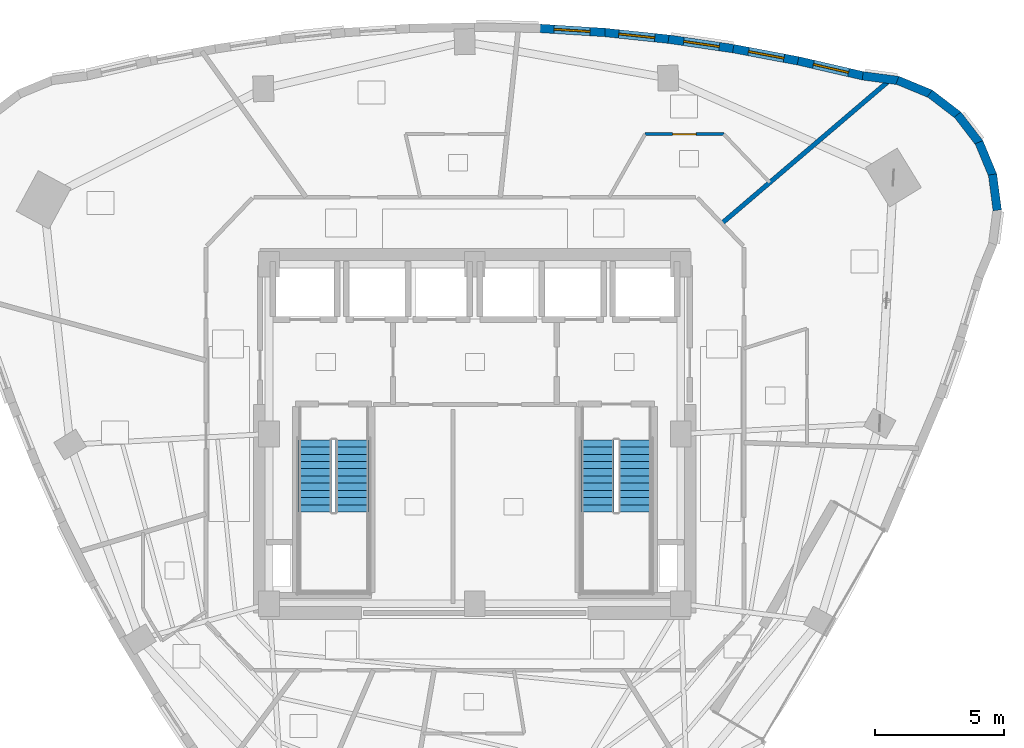
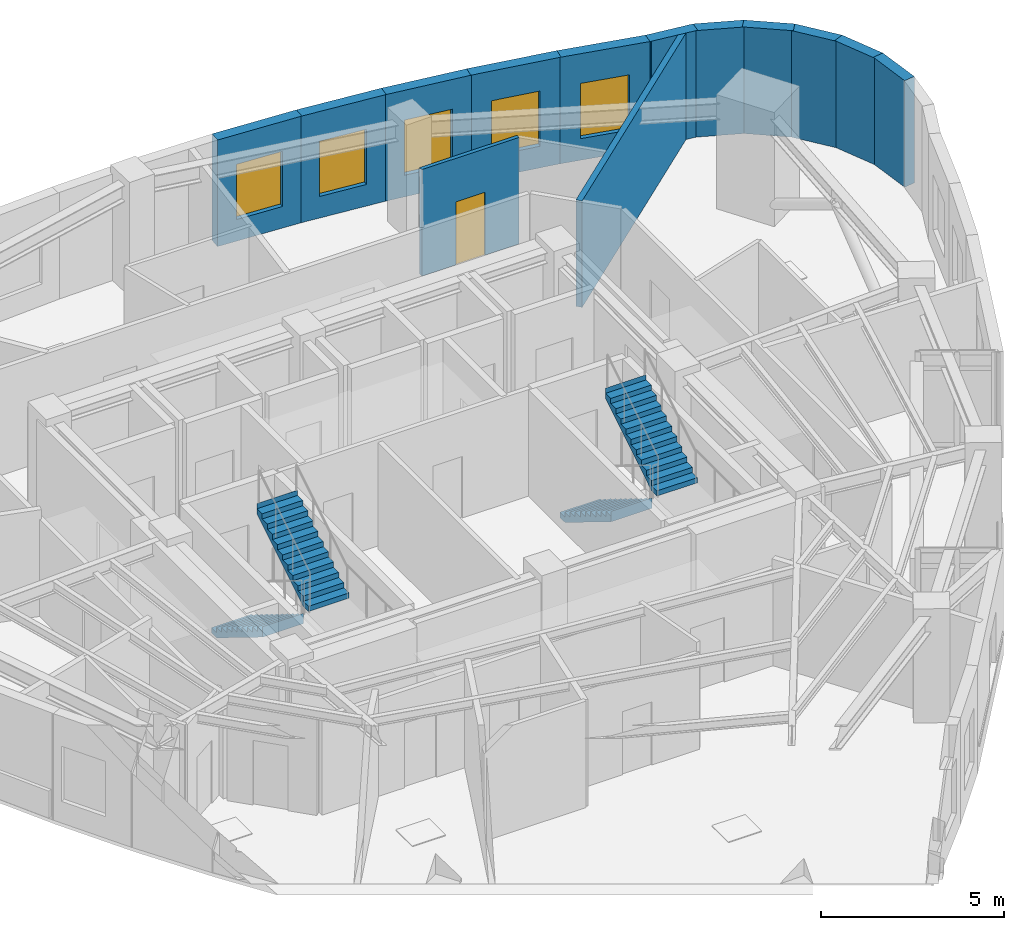
# One storey, part 9 of 12: 13 walls, 5 windows, 4 stair flights, 1 door, 6 openings, 2 elements without a shape of their own.
"""IFC4 building model written with IfcOpenShell, lengths in metres."""

from ifc_helpers import new_model, si_unit, direction, frame, frame_2d, origin, place, context, subcontext, project, spatial, polyline, rectangle, outline, extrude, material, layer, layer_set, type_object, element, fill, aggregate, save


model = new_model("IFC4")

# Units and contexts
model_context = context("Model", 3, precision=1e-05, world=origin(), true_north=direction((0.0, 1.0)))
body_context = subcontext(model_context, "Body", "Model", "MODEL_VIEW")
ifc_project = project(units=[si_unit("LENGTHUNIT", "METRE"), si_unit("AREAUNIT", "SQUARE_METRE"), si_unit("VOLUMEUNIT", "CUBIC_METRE"), si_unit("PLANEANGLEUNIT", "RADIAN"), si_unit("MASSUNIT", "GRAM", prefix="KILO")], contexts=[model_context])

# Site, building, storey
site_placement = place(None, origin())
site = spatial("IfcSite", under=ifc_project, at=site_placement, CompositionType="ELEMENT")
building_placement = place(site_placement, origin())
building = spatial("IfcBuilding", under=site, at=building_placement, Name="Ndelora Gate Hotel", CompositionType="ELEMENT")
storey_placement = place(building_placement, frame((0.0, 0.0, 213.14990234375)))
storey = spatial("IfcBuildingStorey", under=building, at=storey_placement, Name="L53", CompositionType="ELEMENT", Elevation=213.14990234375)

# Walls
ifc_material_1 = material(Name="Acoustic Double-Stud Gypsum Assembly", Category="gypsum")
ifc_layer_1 = layer(ifc_material_1, 0.179931640625)
ifc_layer_set_1 = layer_set([ifc_layer_1], Name="Acoustic Double-Stud Gypsum Assembly")
wall_type_1 = type_object("IfcWallType", Name="WL-ACOUST-180", PredefinedType="PARTITIONING", material=ifc_layer_set_1)
wall_1_placement = place(storey_placement, frame((9.591064453125, 8.18115234375, 0.0), z_axis=(0.0, 0.0, 1.0), x_axis=(0.760815854362, 0.648967823356, 0.0)))
element("IfcWall", 1, at=wall_1_placement, inside=storey, type_object=wall_type_1, Name="L53 Interior Wall IW-3", PredefinedType="PARTITIONING", context=body_context, shape_type="SweptSolid", body=[
    extrude(rectangle(XDim=8.619873046875, YDim=0.179931640625, at=frame_2d((4.31005859375, 0.0))), origin(), (0.0, 0.0, 1.0), 3.550048828125),
])
ifc_material_2 = material(Name="Clay Brick Masonry", Category="masonry")
ifc_layer_2 = layer(ifc_material_2, 0.330078125)
ifc_layer_set_2 = layer_set([ifc_layer_2], Name="Clay Brick Masonry")
wall_type_2 = type_object("IfcWallType", Name="WL-BRICK-330", PredefinedType="SOLIDWALL", material=ifc_layer_set_2)
for number, where, z_axis, x_axis, name in (
    (2, (20.11279296875, 10.084716796875, 0.0), (0.0, 0.0, 1.0), (0.130607061093, -0.991434211429, 0.0), "L53 Tower Brick Pier-and-Spandrel Wall TWR-41"),
    (3, (19.587158203125, 11.337158203125, 0.0), (0.0, 0.0, 1.0), (0.382668413767, -0.923885753275, 0.0), "L53 Tower Brick Pier-and-Spandrel Wall TWR-42"),
    (4, (18.755126953125, 12.410888671875, 0.0), (0.0, 0.0, 1.0), (0.608679143886, -0.793416473107, 0.0), "L53 Tower Brick Pier-and-Spandrel Wall TWR-43"),
):
    element("IfcWall", number, at=place(storey_placement, frame(where, z_axis=z_axis, x_axis=x_axis)), inside=storey, type_object=wall_type_2, Name=name, PredefinedType="SOLIDWALL", context=body_context, shape_type="SweptSolid", body=[
        extrude(rectangle(XDim=1.407470703125, YDim=0.330078125, at=frame_2d((0.70361328125, 0.0))), origin(), (0.0, 0.0, 1.0), 3.550048828125),
    ])
wall_2_placement = place(storey_placement, frame((17.673583984375, 13.232666015625, 0.0), z_axis=(0.0, 0.0, 1.0), x_axis=(0.793352193746, -0.608762923213, 0.0)))
element("IfcWall", 5, at=wall_2_placement, inside=storey, type_object=wall_type_2, Name="L53 Tower Brick Pier-and-Spandrel Wall TWR-44", PredefinedType="SOLIDWALL", context=body_context, shape_type="SweptSolid", body=[
    extrude(rectangle(XDim=1.4072265625, YDim=0.330078125, at=frame_2d((0.70361328125, 0.0))), origin(), (0.0, 0.0, 1.0), 3.550048828125),
])
for number, where, z_axis, x_axis, name in (
    (6, (16.416015625, 13.74658203125, 0.0), (0.0, 0.0, 1.0), (0.923885753275, -0.382668413767, 0.0), "L53 Tower Brick Pier-and-Spandrel Wall TWR-45"),
    (7, (15.068603515625, 13.91748046875, 0.0), (0.0, 0.0, 1.0), (0.991434211429, -0.130607061093, 0.0), "L53 Tower Brick Pier-and-Spandrel Wall TWR-46"),
):
    element("IfcWall", number, at=place(storey_placement, frame(where, z_axis=z_axis, x_axis=x_axis)), inside=storey, type_object=wall_type_2, Name=name, PredefinedType="SOLIDWALL", context=body_context, shape_type="SweptSolid", body=[
        extrude(rectangle(XDim=1.407470703125, YDim=0.330078125, at=frame_2d((0.70361328125, 0.0))), origin(), (0.0, 0.0, 1.0), 3.550048828125),
    ])

# Wall, opening, window
wall_3_placement = place(storey_placement, frame((12.553466796875, 14.500244140625, 0.0), z_axis=(0.0, 0.0, 1.0), x_axis=(0.974386504753, -0.224879833145, 0.0)))
wall_3 = element("IfcWall", 8, at=wall_3_placement, inside=storey, type_object=wall_type_2, Name="L53 Tower Brick Pier-and-Spandrel Wall TWR-47", PredefinedType="SOLIDWALL", context=body_context, shape_type="SweptSolid", body=[
    extrude(rectangle(XDim=2.631591796875, YDim=0.330078125, at=frame_2d((1.31591796875, 0.0))), origin(), (0.0, 0.0, 1.0), 3.550048828125),
])
opening_1_placement = place(wall_3_placement, frame((0.61572265625, 0.0, 0.719970703125)))
opening_1 = element("IfcOpeningElement", 9, at=opening_1_placement, cuts=wall_3, Name="Opening W02", PredefinedType="OPENING", context=body_context, shape_type="SweptSolid", body=[
    extrude(rectangle(XDim=1.39990234375, YDim=1.840087890625, at=frame_2d((0.699951171875, 0.919921875))), frame((0.0, 0.175048828125, 0.0), z_axis=(0.0, -1.0, 0.0), x_axis=(1.0, 0.0, 0.0)), (0.0, 0.0, 1.0), 0.35009765625),
])
ifc_material_3 = material(Name="Insulated Low-E Double Glazing in Bronze Aluminium Frame", Category="aluminium")
window_type = type_object("IfcWindowType", Name="WN-DEEP-1400", PartitioningType="SINGLE_PANEL", PredefinedType="WINDOW", material=ifc_material_3)
window_1_placement = place(opening_1_placement, origin())
window_1 = element("IfcWindow", 10, at=window_1_placement, inside=storey, type_object=window_type, Name="L53 Deep-Set Brick-Pier Window W02", OverallHeight=1.840087890625, OverallWidth=1.39990234375, PartitioningType="SINGLE_PANEL", PredefinedType="WINDOW", context=body_context, shape_type="SweptSolid", body=[
    extrude(rectangle(XDim=1.39990234375, YDim=1.840087890625, at=frame_2d((0.699951171875, 0.919921875))), frame((0.0, 0.030029296875, 0.0), z_axis=(0.0, -1.0, 0.0), x_axis=(1.0, 0.0, 0.0)), (0.0, 0.0, 1.0), 0.06005859375),
])
fill(opening_1, window_1)

wall_4_placement = place(storey_placement, frame((10.03759765625, 14.974365234375, 0.0), z_axis=(0.0, 0.0, 1.0), x_axis=(0.982628840182, -0.185581686713, 0.0)))
wall_4 = element("IfcWall", 11, at=wall_4_placement, inside=storey, type_object=wall_type_2, Name="L53 Tower Brick Pier-and-Spandrel Wall TWR-48", PredefinedType="SOLIDWALL", context=body_context, shape_type="SweptSolid", body=[
    extrude(rectangle(XDim=2.610107421875, YDim=0.330078125, at=frame_2d((1.30517578125, 0.0))), origin(), (0.0, 0.0, 1.0), 3.550048828125),
])
opening_2_placement = place(wall_4_placement, frame((0.60498046875, 0.0, 0.719970703125)))
opening_2 = element("IfcOpeningElement", 12, at=opening_2_placement, cuts=wall_4, Name="Opening W02", PredefinedType="OPENING", context=body_context, shape_type="SweptSolid", body=[
    extrude(rectangle(XDim=1.39990234375, YDim=1.840087890625, at=frame_2d((0.699951171875, 0.919921875))), frame((0.0, 0.175048828125, 0.0), z_axis=(0.0, -1.0, 0.0), x_axis=(1.0, 0.0, 0.0)), (0.0, 0.0, 1.0), 0.35009765625),
])
window_2_placement = place(opening_2_placement, origin())
window_2 = element("IfcWindow", 13, at=window_2_placement, inside=storey, type_object=window_type, Name="L53 Deep-Set Brick-Pier Window W02", OverallHeight=1.840087890625, OverallWidth=1.39990234375, PartitioningType="SINGLE_PANEL", PredefinedType="WINDOW", context=body_context, shape_type="SweptSolid", body=[
    extrude(rectangle(XDim=1.39990234375, YDim=1.840087890625, at=frame_2d((0.699951171875, 0.919921875))), frame((0.0, 0.030029296875, 0.0), z_axis=(0.0, -1.0, 0.0), x_axis=(1.0, 0.0, 0.0)), (0.0, 0.0, 1.0), 0.06005859375),
])
fill(opening_2, window_2)

wall_5_placement = place(storey_placement, frame((7.52197265625, 15.3427734375, 0.0), z_axis=(0.0, 0.0, 1.0), x_axis=(0.989386229934, -0.145309628097, 0.0)))
wall_5 = element("IfcWall", 14, at=wall_5_placement, inside=storey, type_object=wall_type_2, Name="L53 Tower Brick Pier-and-Spandrel Wall TWR-49", PredefinedType="SOLIDWALL", context=body_context, shape_type="SweptSolid", body=[
    extrude(rectangle(XDim=2.592529296875, YDim=0.330078125, at=frame_2d((1.29638671875, 0.0))), origin(), (0.0, 0.0, 1.0), 3.550048828125),
])
opening_3_placement = place(wall_5_placement, frame((0.59619140625, 0.0, 0.719970703125)))
opening_3 = element("IfcOpeningElement", 15, at=opening_3_placement, cuts=wall_5, Name="Opening W02", PredefinedType="OPENING", context=body_context, shape_type="SweptSolid", body=[
    extrude(rectangle(XDim=1.39990234375, YDim=1.840087890625, at=frame_2d((0.699951171875, 0.919921875))), frame((0.0, 0.175048828125, 0.0), z_axis=(0.0, -1.0, 0.0), x_axis=(1.0, 0.0, 0.0)), (0.0, 0.0, 1.0), 0.35009765625),
])
window_3_placement = place(opening_3_placement, origin())
window_3 = element("IfcWindow", 16, at=window_3_placement, inside=storey, type_object=window_type, Name="L53 Deep-Set Brick-Pier Window W02", OverallHeight=1.840087890625, OverallWidth=1.39990234375, PartitioningType="SINGLE_PANEL", PredefinedType="WINDOW", context=body_context, shape_type="SweptSolid", body=[
    extrude(rectangle(XDim=1.39990234375, YDim=1.840087890625, at=frame_2d((0.699951171875, 0.919921875))), frame((0.0, 0.030029296875, 0.0), z_axis=(0.0, -1.0, 0.0), x_axis=(1.0, 0.0, 0.0)), (0.0, 0.0, 1.0), 0.06005859375),
])
fill(opening_3, window_3)

wall_6_placement = place(storey_placement, frame((5.006103515625, 15.605712890625, 0.0), z_axis=(0.0, 0.0, 1.0), x_axis=(0.994536008198, -0.104394101355, 0.0)))
wall_6 = element("IfcWall", 17, at=wall_6_placement, inside=storey, type_object=wall_type_2, Name="L53 Tower Brick Pier-and-Spandrel Wall TWR-50", PredefinedType="SOLIDWALL", context=body_context, shape_type="SweptSolid", body=[
    extrude(rectangle(XDim=2.57958984375, YDim=0.330078125, at=frame_2d((1.289794921875, 0.0))), origin(), (0.0, 0.0, 1.0), 3.550048828125),
])
opening_4_placement = place(wall_6_placement, frame((0.589599609375, 0.0, 0.719970703125)))
opening_4 = element("IfcOpeningElement", 18, at=opening_4_placement, cuts=wall_6, Name="Opening W02", PredefinedType="OPENING", context=body_context, shape_type="SweptSolid", body=[
    extrude(rectangle(XDim=1.39990234375, YDim=1.840087890625, at=frame_2d((0.699951171875, 0.919921875))), frame((0.0, 0.175048828125, 0.0), z_axis=(0.0, -1.0, 0.0), x_axis=(1.0, 0.0, 0.0)), (0.0, 0.0, 1.0), 0.35009765625),
])
window_4_placement = place(opening_4_placement, origin())
window_4 = element("IfcWindow", 19, at=window_4_placement, inside=storey, type_object=window_type, Name="L53 Deep-Set Brick-Pier Window W02", OverallHeight=1.840087890625, OverallWidth=1.39990234375, PartitioningType="SINGLE_PANEL", PredefinedType="WINDOW", context=body_context, shape_type="SweptSolid", body=[
    extrude(rectangle(XDim=1.39990234375, YDim=1.840087890625, at=frame_2d((0.699951171875, 0.919921875))), frame((0.0, 0.030029296875, 0.0), z_axis=(0.0, -1.0, 0.0), x_axis=(1.0, 0.0, 0.0)), (0.0, 0.0, 1.0), 0.06005859375),
])
fill(opening_4, window_4)

wall_7_placement = place(storey_placement, frame((2.490478515625, 15.762939453125, 0.0), z_axis=(0.0, 0.0, 1.0), x_axis=(0.998021787146, -0.062869009715, 0.0)))
wall_7 = element("IfcWall", 20, at=wall_7_placement, inside=storey, type_object=wall_type_2, Name="L53 Tower Brick Pier-and-Spandrel Wall TWR-51", PredefinedType="SOLIDWALL", context=body_context, shape_type="SweptSolid", body=[
    extrude(rectangle(XDim=2.57080078125, YDim=0.330078125, at=frame_2d((1.285400390625, 0.0))), origin(), (0.0, 0.0, 1.0), 3.550048828125),
])
opening_5_placement = place(wall_7_placement, frame((0.585205078125, 0.0, 0.719970703125)))
opening_5 = element("IfcOpeningElement", 21, at=opening_5_placement, cuts=wall_7, Name="Opening W02", PredefinedType="OPENING", context=body_context, shape_type="SweptSolid", body=[
    extrude(rectangle(XDim=1.39990234375, YDim=1.840087890625, at=frame_2d((0.699951171875, 0.919921875))), frame((0.0, 0.175048828125, 0.0), z_axis=(0.0, -1.0, 0.0), x_axis=(1.0, 0.0, 0.0)), (0.0, 0.0, 1.0), 0.35009765625),
])
window_5_placement = place(opening_5_placement, origin())
window_5 = element("IfcWindow", 22, at=window_5_placement, inside=storey, type_object=window_type, Name="L53 Deep-Set Brick-Pier Window W02", OverallHeight=1.840087890625, OverallWidth=1.39990234375, PartitioningType="SINGLE_PANEL", PredefinedType="WINDOW", context=body_context, shape_type="SweptSolid", body=[
    extrude(rectangle(XDim=1.39990234375, YDim=1.840087890625, at=frame_2d((0.699951171875, 0.919921875))), frame((0.0, 0.030029296875, 0.0), z_axis=(0.0, -1.0, 0.0), x_axis=(1.0, 0.0, 0.0)), (0.0, 0.0, 1.0), 0.06005859375),
])
fill(opening_5, window_5)

# Wall, opening, door
ifc_material_4 = material(Name="Moisture-Resistant Bathroom Tile Partition", Category="gypsum")
ifc_layer_3 = layer(ifc_material_4, 0.1201171875)
ifc_layer_set_3 = layer_set([ifc_layer_3], Name="Moisture-Resistant Bathroom Tile Partition")
wall_type_3 = type_object("IfcWallType", Name="WL-WET-120", PredefinedType="PARTITIONING", material=ifc_layer_set_3)
wall_8_placement = place(storey_placement, frame((6.60888671875, 11.64990234375, 0.0), z_axis=(0.0, 0.0, 1.0), x_axis=(1.0, 0.0, 0.0)))
wall_8 = element("IfcWall", 23, at=wall_8_placement, inside=storey, type_object=wall_type_3, Name="L53 Interior Wall IW-7", PredefinedType="PARTITIONING", context=body_context, shape_type="SweptSolid", body=[
    extrude(rectangle(XDim=3.060546875, YDim=0.1201171875, at=frame_2d((1.5302734375, 0.0))), origin(), (0.0, 0.0, 1.0), 3.550048828125),
])
opening_6_placement = place(wall_8_placement, frame((1.0703125, 0.0, 0.0)))
opening_6 = element("IfcOpeningElement", 24, at=opening_6_placement, cuts=wall_8, Name="Opening D03", PredefinedType="OPENING", context=body_context, shape_type="SweptSolid", body=[
    extrude(rectangle(XDim=0.919921875, YDim=2.10009765625, at=frame_2d((0.4599609375, 1.050048828125))), frame((0.0, 0.070068359375, 0.0), z_axis=(0.0, -1.0, 0.0), x_axis=(1.0, 0.0, 0.0)), (0.0, 0.0, 1.0), 0.14013671875),
])
ifc_material_5 = material(Name="Moisture-Resistant Hardwood En-Suite Door", Category="wood")
door_type = type_object("IfcDoorType", Name="DR-BATH-920", OperationType="SINGLE_SWING_LEFT", PredefinedType="DOOR", material=ifc_material_5)
door_placement = place(opening_6_placement, origin())
door = element("IfcDoor", 25, at=door_placement, inside=storey, type_object=door_type, Name="L53 En-suite Bathroom 5603 Door", OperationType="SINGLE_SWING_RIGHT", OverallHeight=2.10009765625, OverallWidth=0.919921875, PredefinedType="DOOR", context=body_context, shape_type="SweptSolid", body=[
    extrude(rectangle(XDim=0.919921875, YDim=2.10009765625, at=frame_2d((0.4599609375, 1.050048828125))), frame((0.0, 0.02490234375, 0.0), z_axis=(0.0, -1.0, 0.0), x_axis=(1.0, 0.0, 0.0)), (0.0, 0.0, 1.0), 0.050048828125),
])
fill(opening_6, door)

# Stair, stair flights
ifc_material_6 = material(Name="Precast concrete C40/50", Category="concrete")
stair_type = type_object("IfcStairType", Name="STR-DOG-CORE", PredefinedType="HALF_TURN_STAIR", material=ifc_material_6)
stair_1_placement = place(storey_placement, origin())
stair_1 = element("IfcStair", 26, at=stair_1_placement, inside=storey, type_object=stair_type, Name="L53 Protected Core Exit Stair ST4", PredefinedType="HALF_TURN_STAIR")
stair_flight_type = type_object("IfcStairFlightType", Name="STF-PRECAST", PredefinedType="STRAIGHT", material=ifc_material_6)
stair_flight_1_placement = place(storey_placement, frame((-6.2099609375, -0.22998046875, 0.0), z_axis=(0.0, 0.0, 1.0), x_axis=(0.0, -1.0, 0.0)))
stair_flight_1 = element("IfcStairFlight", 27, at=stair_flight_1_placement, type_object=stair_flight_type, Name="ST4 flight 1", NumberOfRisers=11, NumberOfTreads=10, PredefinedType="STRAIGHT", RiserHeight=0.172727273, TreadLength=0.28, context=body_context, shape_type="SweptSolid", body=[
    extrude(outline(polyline([(-0.00048828125, 0.0), (-0.00048828125, 0.172607421875), (0.0, 0.172607421875), (0.280029296875, 0.172607421875), (0.280029296875, 0.345458984375), (0.56005859375, 0.345458984375), (0.56005859375, 0.51806640625), (0.840087890625, 0.51806640625), (0.840087890625, 0.69091796875), (1.1201171875, 0.69091796875), (1.1201171875, 0.863525390625), (1.39990234375, 0.863525390625), (1.39990234375, 1.036376953125), (1.679931640625, 1.036376953125), (1.679931640625, 1.208984375), (1.9599609375, 1.208984375), (1.9599609375, 1.3818359375), (2.239990234375, 1.3818359375), (2.239990234375, 1.554443359375), (2.52001953125, 1.554443359375), (2.52001953125, 1.727294921875), (2.800048828125, 1.727294921875), (2.800048828125, 1.89990234375), (2.800537109375, 1.89990234375), (2.800537109375, 1.719970703125), (2.800048828125, 1.551025390625), (0.285400390625, 0.0), (-0.00048828125, 0.0)])), frame((0.0, 0.64013671875, 0.0), z_axis=(0.0, -1.0, 0.0), x_axis=(1.0, 0.0, 0.0)), (0.0, 0.0, 1.0), 1.280029296875),
])
stair_flight_2_placement = place(storey_placement, frame((-4.77001953125, -3.030029296875, 1.900146484375), z_axis=(0.0, 0.0, 1.0), x_axis=(0.0, 1.0, 0.0)))
stair_flight_2 = element("IfcStairFlight", 28, at=stair_flight_2_placement, type_object=stair_flight_type, Name="ST4 flight 2", NumberOfRisers=11, NumberOfTreads=10, PredefinedType="STRAIGHT", RiserHeight=0.172727273, TreadLength=0.28, context=body_context, shape_type="SweptSolid", body=[
    extrude(outline(polyline([(-0.00048828125, 0.0), (-0.00048828125, 0.172607421875), (0.0, 0.172607421875), (0.280029296875, 0.172607421875), (0.280029296875, 0.345458984375), (0.56005859375, 0.345458984375), (0.56005859375, 0.51806640625), (0.840087890625, 0.51806640625), (0.840087890625, 0.69091796875), (1.1201171875, 0.69091796875), (1.1201171875, 0.863525390625), (1.39990234375, 0.863525390625), (1.39990234375, 1.036376953125), (1.679931640625, 1.036376953125), (1.679931640625, 1.208984375), (1.9599609375, 1.208984375), (1.9599609375, 1.3818359375), (2.239990234375, 1.3818359375), (2.239990234375, 1.554443359375), (2.52001953125, 1.554443359375), (2.52001953125, 1.727294921875), (2.800048828125, 1.727294921875), (2.800048828125, 1.89990234375), (2.800537109375, 1.89990234375), (2.800537109375, 1.719970703125), (2.800048828125, 1.551025390625), (0.285400390625, 0.0), (-0.00048828125, 0.0)])), frame((0.0, 0.64013671875, 0.0), z_axis=(0.0, -1.0, 0.0), x_axis=(1.0, 0.0, 0.0)), (0.0, 0.0, 1.0), 1.280029296875),
])
aggregate(stair_1, [stair_flight_1, stair_flight_2])

stair_2_placement = place(storey_placement, origin())
stair_2 = element("IfcStair", 29, at=stair_2_placement, inside=storey, type_object=stair_type, Name="L53 Protected Core Exit Stair ST5", PredefinedType="HALF_TURN_STAIR")
stair_flight_3_placement = place(storey_placement, frame((4.77001953125, -0.22998046875, 0.0), z_axis=(0.0, 0.0, 1.0), x_axis=(0.0, -1.0, 0.0)))
stair_flight_3 = element("IfcStairFlight", 30, at=stair_flight_3_placement, type_object=stair_flight_type, Name="ST5 flight 1", NumberOfRisers=11, NumberOfTreads=10, PredefinedType="STRAIGHT", RiserHeight=0.172727273, TreadLength=0.28, context=body_context, shape_type="SweptSolid", body=[
    extrude(outline(polyline([(-0.00048828125, 0.0), (-0.00048828125, 0.172607421875), (0.0, 0.172607421875), (0.280029296875, 0.172607421875), (0.280029296875, 0.345458984375), (0.56005859375, 0.345458984375), (0.56005859375, 0.51806640625), (0.840087890625, 0.51806640625), (0.840087890625, 0.69091796875), (1.1201171875, 0.69091796875), (1.1201171875, 0.863525390625), (1.39990234375, 0.863525390625), (1.39990234375, 1.036376953125), (1.679931640625, 1.036376953125), (1.679931640625, 1.208984375), (1.9599609375, 1.208984375), (1.9599609375, 1.3818359375), (2.239990234375, 1.3818359375), (2.239990234375, 1.554443359375), (2.52001953125, 1.554443359375), (2.52001953125, 1.727294921875), (2.800048828125, 1.727294921875), (2.800048828125, 1.89990234375), (2.800537109375, 1.89990234375), (2.800537109375, 1.719970703125), (2.800048828125, 1.551025390625), (0.285400390625, 0.0), (-0.00048828125, 0.0)])), frame((0.0, 0.64013671875, 0.0), z_axis=(0.0, -1.0, 0.0), x_axis=(1.0, 0.0, 0.0)), (0.0, 0.0, 1.0), 1.280029296875),
])
stair_flight_4_placement = place(storey_placement, frame((6.2099609375, -3.030029296875, 1.900146484375), z_axis=(0.0, 0.0, 1.0), x_axis=(0.0, 1.0, 0.0)))
stair_flight_4 = element("IfcStairFlight", 31, at=stair_flight_4_placement, type_object=stair_flight_type, Name="ST5 flight 2", NumberOfRisers=11, NumberOfTreads=10, PredefinedType="STRAIGHT", RiserHeight=0.172727273, TreadLength=0.28, context=body_context, shape_type="SweptSolid", body=[
    extrude(outline(polyline([(-0.00048828125, 0.0), (-0.00048828125, 0.172607421875), (0.0, 0.172607421875), (0.280029296875, 0.172607421875), (0.280029296875, 0.345458984375), (0.56005859375, 0.345458984375), (0.56005859375, 0.51806640625), (0.840087890625, 0.51806640625), (0.840087890625, 0.69091796875), (1.1201171875, 0.69091796875), (1.1201171875, 0.863525390625), (1.39990234375, 0.863525390625), (1.39990234375, 1.036376953125), (1.679931640625, 1.036376953125), (1.679931640625, 1.208984375), (1.9599609375, 1.208984375), (1.9599609375, 1.3818359375), (2.239990234375, 1.3818359375), (2.239990234375, 1.554443359375), (2.52001953125, 1.554443359375), (2.52001953125, 1.727294921875), (2.800048828125, 1.727294921875), (2.800048828125, 1.89990234375), (2.800537109375, 1.89990234375), (2.800537109375, 1.719970703125), (2.800048828125, 1.551025390625), (0.285400390625, 0.0), (-0.00048828125, 0.0)])), frame((0.0, 0.64013671875, 0.0), z_axis=(0.0, -1.0, 0.0), x_axis=(1.0, 0.0, 0.0)), (0.0, 0.0, 1.0), 1.280029296875),
])
aggregate(stair_2, [stair_flight_3, stair_flight_4])

save(model, "model.ifc")
